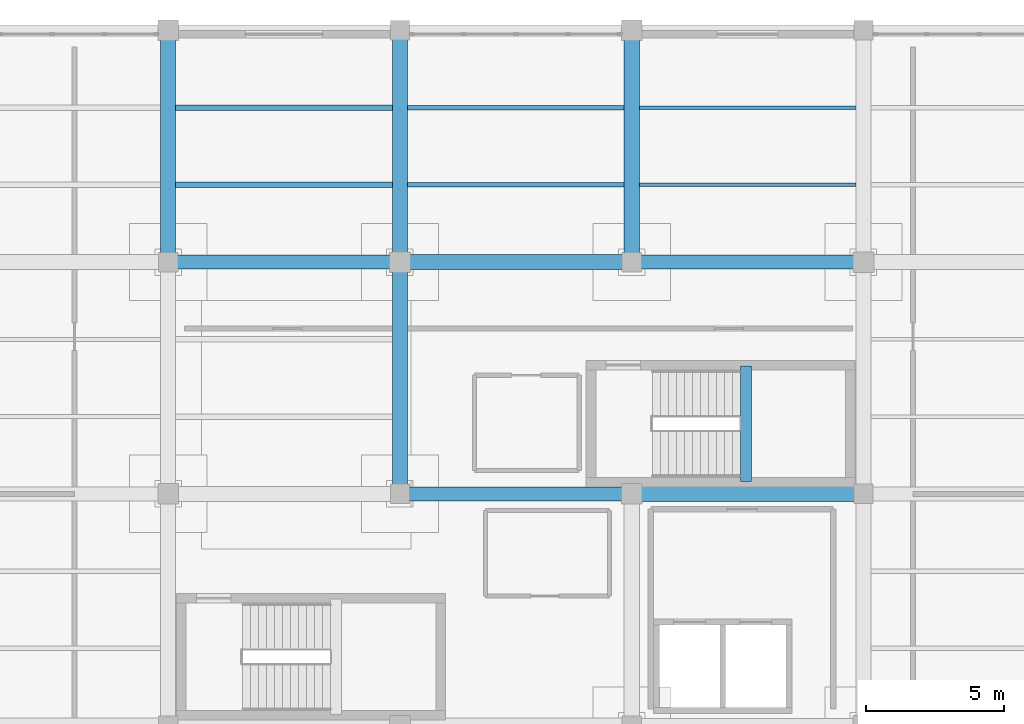
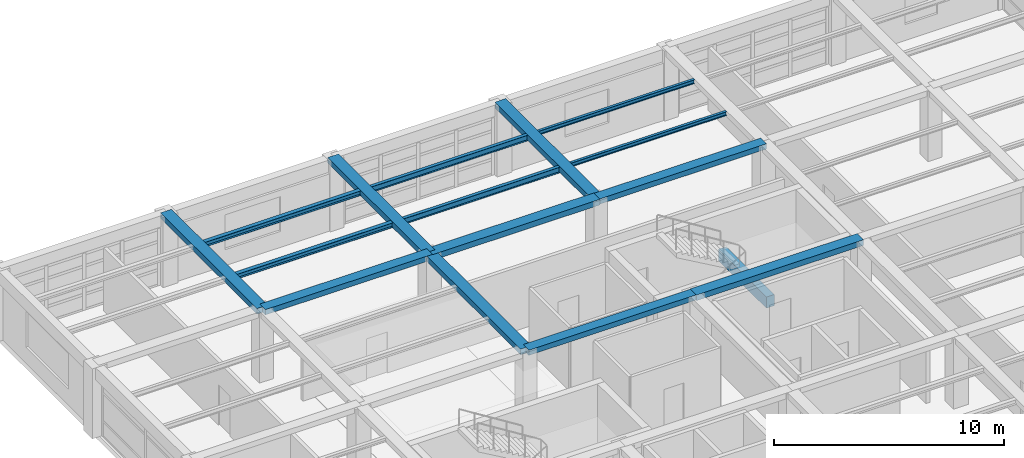
# One storey, part 11 of 31: 16 beams.
"""IFC4 building model written with IfcOpenShell, lengths in metres."""

from ifc_helpers import new_model, si_unit, direction, frame, origin, origin_2d, place, context, subcontext, project, spatial, rectangle, i_section, extrude, material, material_profile, profile_set, type_object, element, save


model = new_model("IFC4")

# Units and contexts
model_context = context("Model", 3, precision=1e-05, world=origin(), true_north=direction((0.0, 1.0)))
body_context = subcontext(model_context, "Body", "Model", "MODEL_VIEW")
ifc_project = project(units=[si_unit("LENGTHUNIT", "METRE"), si_unit("AREAUNIT", "SQUARE_METRE"), si_unit("VOLUMEUNIT", "CUBIC_METRE"), si_unit("PLANEANGLEUNIT", "RADIAN"), si_unit("MASSUNIT", "GRAM", prefix="KILO")], contexts=[model_context])

# Site, building, storey
site_placement = place(None, origin())
site = spatial("IfcSite", under=ifc_project, at=site_placement, CompositionType="ELEMENT")
building_placement = place(site_placement, origin())
building = spatial("IfcBuilding", under=site, at=building_placement, Name="Almacenes y Pasaje Nevantli", CompositionType="ELEMENT")
storey_placement = place(building_placement, frame((0.0, 0.0, 34.699951171875)))
storey = spatial("IfcBuildingStorey", under=building, at=storey_placement, Name="L08", CompositionType="ELEMENT", Elevation=34.699951171875)

# Beams
ifc_material_1 = material(Name="Concrete C35/45", Category="concrete")
ifc_material_profile_1 = material_profile(ifc_material_1, rectangle(XDim=0.39990234375, YDim=0.60009765625, at=origin_2d()), Name="RC-BM-400x600")
ifc_profile_set_1 = profile_set([ifc_material_profile_1], Name="Concrete C35/45")
beam_type_1 = type_object("IfcBeamType", Name="BM-RC-400x600", PredefinedType="SPANDREL", material=ifc_profile_set_1)
beam_1_placement = place(storey_placement, frame((138.5400390625, 84.449951171875, 1.5), z_axis=(0.0, 1.0, 0.0), x_axis=(-1.0, 0.0, 0.0)))
element("IfcBeam", 1, at=beam_1_placement, inside=storey, type_object=beam_type_1, Name="L08 Stair ST-02 Half-Landing Support Beam", PredefinedType="SPANDREL", context=body_context, shape_type="SweptSolid", body=[
    extrude(rectangle(XDim=0.39990234375, YDim=0.60009765625, at=origin_2d()), origin(), (0.0, 0.0, 1.0), 4.18994140625),
])
ifc_material_2 = material(Name="Concrete C35/45", Category="concrete")
ifc_material_profile_2 = material_profile(ifc_material_2, rectangle(XDim=0.5, YDim=0.280029296875, at=origin_2d()), Name="RC-BM-500x280")
ifc_profile_set_2 = profile_set([ifc_material_profile_2], Name="Concrete C35/45")
beam_type_2 = type_object("IfcBeamType", Name="BM-RC-500x280", PredefinedType="BEAM", material=ifc_profile_set_2)
for number, where, z_axis, x_axis, name in (
    (2, (126.0, 84.0, 3.580078125), (1.0, 0.0, 0.0), (0.0, 1.0, 0.0), "L08 East-West Reinforced Concrete Beam #3699"),
    (3, (117.60009765625, 92.39990234375, 3.580078125), (1.0, 0.0, 0.0), (0.0, 1.0, 0.0), "L08 East-West Reinforced Concrete Beam #3704"),
):
    element("IfcBeam", number, at=place(storey_placement, frame(where, z_axis=z_axis, x_axis=x_axis)), inside=storey, type_object=beam_type_2, Name=name, PredefinedType="BEAM", context=body_context, shape_type="SweptSolid", body=[
        extrude(rectangle(XDim=0.5, YDim=0.280029296875, at=origin_2d()), origin(), (0.0, 0.0, 1.0), 8.39990234375),
    ])
beam_2_placement = place(storey_placement, frame((134.39990234375, 92.39990234375, 3.580078125), z_axis=(1.0, 0.0, 0.0), x_axis=(0.0, 1.0, 0.0)))
element("IfcBeam", 4, at=beam_2_placement, inside=storey, type_object=beam_type_2, Name="L08 East-West Reinforced Concrete Beam #3706", PredefinedType="BEAM", context=body_context, shape_type="SweptSolid", body=[
    extrude(rectangle(XDim=0.5, YDim=0.280029296875, at=origin_2d()), origin(), (0.0, 0.0, 1.0), 8.400146484375),
])
ifc_material_3 = material(Name="Concrete C35/45", Category="concrete")
ifc_material_profile_3 = material_profile(ifc_material_3, rectangle(XDim=0.550048828125, YDim=0.300048828125, at=origin_2d()), Name="RC-BM-550x300")
ifc_profile_set_3 = profile_set([ifc_material_profile_3], Name="Concrete C35/45")
beam_type_3 = type_object("IfcBeamType", Name="BM-RC-550x300", PredefinedType="BEAM", material=ifc_profile_set_3)
beam_3_placement = place(storey_placement, frame((134.39990234375, 84.0, 3.570068359375), z_axis=(1.0, 0.0, 0.0), x_axis=(0.0, 1.0, 0.0)))
element("IfcBeam", 5, at=beam_3_placement, inside=storey, type_object=beam_type_3, Name="L08 East-West Reinforced Concrete Beam #3700", PredefinedType="BEAM", context=body_context, shape_type="SweptSolid", body=[
    extrude(rectangle(XDim=0.550048828125, YDim=0.300048828125, at=origin_2d()), origin(), (0.0, 0.0, 1.0), 8.400146484375),
])
beam_4_placement = place(storey_placement, frame((126.0, 92.39990234375, 3.570068359375), z_axis=(1.0, 0.0, 0.0), x_axis=(0.0, 1.0, 0.0)))
element("IfcBeam", 6, at=beam_4_placement, inside=storey, type_object=beam_type_3, Name="L08 East-West Reinforced Concrete Beam #3705", PredefinedType="BEAM", context=body_context, shape_type="SweptSolid", body=[
    extrude(rectangle(XDim=0.550048828125, YDim=0.300048828125, at=origin_2d()), origin(), (0.0, 0.0, 1.0), 8.39990234375),
])
beam_5_placement = place(storey_placement, frame((117.60009765625, 92.39990234375, 3.570068359375), z_axis=(0.0, 1.0, 0.0), x_axis=(-1.0, 0.0, 0.0)))
element("IfcBeam", 7, at=beam_5_placement, inside=storey, type_object=beam_type_3, Name="L08 North-South Reinforced Concrete Beam #3722", PredefinedType="BEAM", context=body_context, shape_type="SweptSolid", body=[
    extrude(rectangle(XDim=0.550048828125, YDim=0.300048828125, at=origin_2d()), origin(), (0.0, 0.0, 1.0), 8.400146484375),
])
beam_6_placement = place(storey_placement, frame((126.0, 84.0, 3.570068359375), z_axis=(0.0, 1.0, 0.0), x_axis=(-1.0, 0.0, 0.0)))
element("IfcBeam", 8, at=beam_6_placement, inside=storey, type_object=beam_type_3, Name="L08 North-South Reinforced Concrete Beam #3724", PredefinedType="BEAM", context=body_context, shape_type="SweptSolid", body=[
    extrude(rectangle(XDim=0.550048828125, YDim=0.300048828125, at=origin_2d()), origin(), (0.0, 0.0, 1.0), 8.39990234375),
])
for number, where, z_axis, x_axis, name in (
    (9, (126.0, 92.39990234375, 3.570068359375), (0.0, 1.0, 0.0), (-1.0, 0.0, 0.0), "L08 North-South Reinforced Concrete Beam #3725"),
    (10, (134.39990234375, 92.39990234375, 3.570068359375), (0.0, 1.0, 0.0), (-1.0, 0.0, 0.0), "L08 North-South Reinforced Concrete Beam #3728"),
):
    element("IfcBeam", number, at=place(storey_placement, frame(where, z_axis=z_axis, x_axis=x_axis)), inside=storey, type_object=beam_type_3, Name=name, PredefinedType="BEAM", context=body_context, shape_type="SweptSolid", body=[
        extrude(rectangle(XDim=0.550048828125, YDim=0.300048828125, at=origin_2d()), origin(), (0.0, 0.0, 1.0), 8.400146484375),
    ])
ifc_material_4 = material(Name="Steel ASTM A992", Category="steel")
ifc_material_profile_4 = material_profile(ifc_material_4, i_section(OverallWidth=0.134033203125, OverallDepth=0.2099609375, WebThickness=0.00634765625, FlangeThickness=0.01025390625, at=origin_2d()), Name="IR 203x31.3")
ifc_profile_set_4 = profile_set([ifc_material_profile_4], Name="Steel ASTM A992")
beam_type_4 = type_object("IfcBeamType", Name="BM-STL-IR-203x31p3", PredefinedType="JOIST", material=ifc_profile_set_4)
for number, where, z_axis, x_axis, name in (
    (11, (134.675048828125, 95.199951171875, 3.60693359375), (1.0, 0.0, 0.0), (0.0, 1.0, 0.0), "L08 Secondary Steel Floor Joist #1437"),
    (12, (134.675048828125, 98.0, 3.60693359375), (1.0, 0.0, 0.0), (0.0, 1.0, 0.0), "L08 Secondary Steel Floor Joist #1438"),
):
    element("IfcBeam", number, at=place(storey_placement, frame(where, z_axis=z_axis, x_axis=x_axis)), inside=storey, type_object=beam_type_4, Name=name, PredefinedType="JOIST", context=body_context, shape_type="SweptSolid", body=[
        extrude(i_section(OverallWidth=0.134033203125, OverallDepth=0.2099609375, WebThickness=0.00634765625, FlangeThickness=0.01025390625, at=origin_2d()), origin(), (0.0, 0.0, 1.0), 7.849853515625),
    ])
ifc_material_5 = material(Name="Steel ASTM A992", Category="steel")
ifc_material_profile_5 = material_profile(ifc_material_5, i_section(OverallWidth=0.2041015625, OverallDepth=0.258056640625, WebThickness=0.008056640625, FlangeThickness=0.013427734375, at=origin_2d()), Name="IR 254x58.0")
ifc_profile_set_5 = profile_set([ifc_material_profile_5], Name="Steel ASTM A992")
beam_type_5 = type_object("IfcBeamType", Name="BM-STL-IR-254x58p0", PredefinedType="JOIST", material=ifc_profile_set_5)
for number, where, z_axis, x_axis, name in (
    (13, (117.875, 95.199951171875, 3.5830078125), (1.0, 0.0, 0.0), (0.0, 1.0, 0.0), "L08 Secondary Steel Floor Joist #1431"),
    (14, (117.875, 98.0, 3.5830078125), (1.0, 0.0, 0.0), (0.0, 1.0, 0.0), "L08 Secondary Steel Floor Joist #1432"),
):
    element("IfcBeam", number, at=place(storey_placement, frame(where, z_axis=z_axis, x_axis=x_axis)), inside=storey, type_object=beam_type_5, Name=name, PredefinedType="JOIST", context=body_context, shape_type="SweptSolid", body=[
        extrude(i_section(OverallWidth=0.2041015625, OverallDepth=0.258056640625, WebThickness=0.008056640625, FlangeThickness=0.013427734375, at=origin_2d()), origin(), (0.0, 0.0, 1.0), 7.85009765625),
    ])
ifc_material_6 = material(Name="Steel ASTM A992", Category="steel")
ifc_material_profile_6 = material_profile(ifc_material_6, i_section(OverallWidth=0.1650390625, OverallDepth=0.306884765625, WebThickness=0.006591796875, FlangeThickness=0.01025390625, at=origin_2d()), Name="IR 305x44.6")
ifc_profile_set_6 = profile_set([ifc_material_profile_6], Name="Steel ASTM A992")
beam_type_6 = type_object("IfcBeamType", Name="BM-STL-IR-305x44p6", PredefinedType="JOIST", material=ifc_profile_set_6)
for number, where, z_axis, x_axis, name in (
    (15, (126.27490234375, 95.199951171875, 3.55859375), (1.0, 0.0, 0.0), (0.0, 1.0, 0.0), "L08 Secondary Steel Floor Joist #1433"),
    (16, (126.27490234375, 98.0, 3.55859375), (1.0, 0.0, 0.0), (0.0, 1.0, 0.0), "L08 Secondary Steel Floor Joist #1434"),
):
    element("IfcBeam", number, at=place(storey_placement, frame(where, z_axis=z_axis, x_axis=x_axis)), inside=storey, type_object=beam_type_6, Name=name, PredefinedType="JOIST", context=body_context, shape_type="SweptSolid", body=[
        extrude(i_section(OverallWidth=0.1650390625, OverallDepth=0.306884765625, WebThickness=0.006591796875, FlangeThickness=0.01025390625, at=origin_2d()), origin(), (0.0, 0.0, 1.0), 7.85009765625),
    ])

save(model, "model.ifc")
